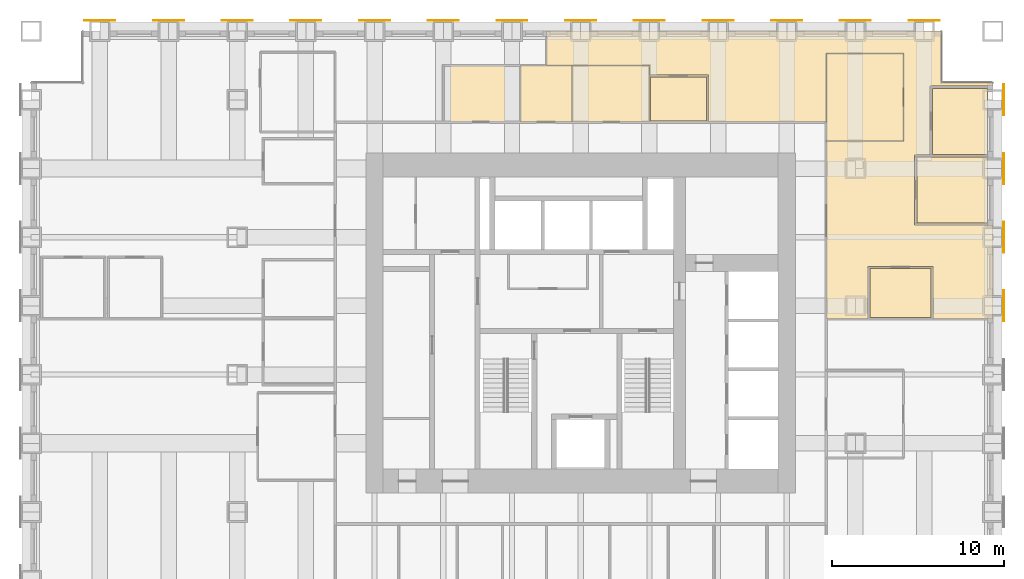
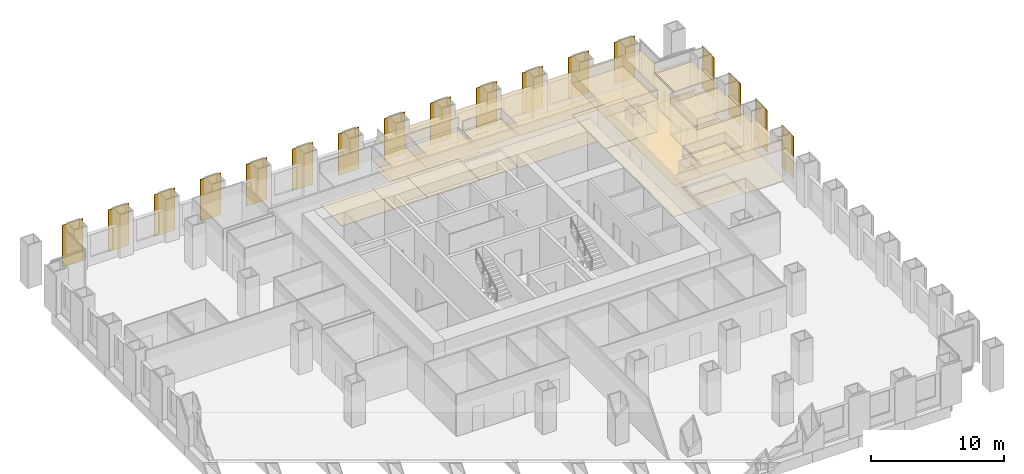
# One storey, part 15 of 15: 17 coverings, 17 shading devices.
"""IFC4 building model written with IfcOpenShell, lengths in metres."""

from ifc_helpers import new_model, si_unit, direction, frame, origin, origin_2d, place, context, subcontext, project, spatial, polyline, rectangle, outline, extrude, material, layer, layer_set, type_object, element, save


model = new_model("IFC4")

# Units and contexts
model_context = context("Model", 3, precision=1e-05, world=origin(), true_north=direction((0.0, 1.0)))
body_context = subcontext(model_context, "Body", "Model", "MODEL_VIEW")
ifc_project = project(units=[si_unit("LENGTHUNIT", "METRE"), si_unit("AREAUNIT", "SQUARE_METRE"), si_unit("VOLUMEUNIT", "CUBIC_METRE"), si_unit("PLANEANGLEUNIT", "RADIAN"), si_unit("MASSUNIT", "GRAM", prefix="KILO")], contexts=[model_context])

# Site, building, storey
site_placement = place(None, origin())
site = spatial("IfcSite", under=ifc_project, at=site_placement, CompositionType="ELEMENT")
building_placement = place(site_placement, origin())
building = spatial("IfcBuilding", under=site, at=building_placement, Name="Rimbunsela Tower", CompositionType="ELEMENT")
storey_placement = place(building_placement, frame((0.0, 0.0, 23.0)))
storey = spatial("IfcBuildingStorey", under=building, at=storey_placement, Name="L05", CompositionType="ELEMENT", Elevation=23.0)

# Coverings
ifc_material_1 = material(Name="Nylon carpet tile", Category="textile")
ifc_layer_1 = layer(ifc_material_1, 0.010009765625)
ifc_layer_set_1 = layer_set([ifc_layer_1], Name="Carpet tile 10")
covering_type_1 = type_object("IfcCoveringType", Name="Carpet tile 10", PredefinedType="FLOORING", material=ifc_layer_set_1)
covering_1_placement = place(storey_placement, origin())
element("IfcCovering", 1, at=covering_1_placement, inside=storey, type_object=covering_type_1, Name="Floor finish Open office", PredefinedType="FLOORING", context=body_context, shape_type="SweptSolid", body=[
    extrude(outline(polyline([(44.300048828125, 38.699951171875), (37.449951171875, 38.699951171875), (37.449951171875, 41.449951171875), (34.0, 41.449951171875), (34.0, 42.0), (28.0009765625, 42.0), (28.0009765625, 44.0), (44.300048828125, 44.0), (51.0, 44.0), (51.0, 41.0), (54.0, 41.0), (54.0, 40.800048828125), (50.35009765625, 40.800048828125), (50.35009765625, 36.800048828125), (49.449951171875, 36.800048828125), (49.449951171875, 32.699951171875), (54.0, 32.699951171875), (54.0, 27.2509765625), (50.52490234375, 27.2509765625), (50.52490234375, 30.300048828125), (46.72509765625, 30.300048828125), (46.72509765625, 27.2509765625), (44.300048828125, 27.2509765625), (44.300048828125, 37.60009765625), (48.800048828125, 37.60009765625), (48.800048828125, 42.699951171875), (44.300048828125, 42.699951171875), (44.300048828125, 38.699951171875)])), origin(), (0.0, 0.0, 1.0), 0.010009765625),
])
covering_2_placement = place(storey_placement, origin())
element("IfcCovering", 2, at=covering_2_placement, inside=storey, type_object=covering_type_1, Name="Floor finish Reception", PredefinedType="FLOORING", context=body_context, shape_type="SweptSolid", body=[
    extrude(outline(polyline([(48.800048828125, 37.60009765625), (48.800048828125, 42.699951171875), (44.300048828125, 42.699951171875), (44.300048828125, 37.60009765625), (48.800048828125, 37.60009765625)])), origin(), (0.0, 0.0, 1.0), 0.010009765625),
])
covering_3_placement = place(storey_placement, origin())
element("IfcCovering", 3, at=covering_3_placement, inside=storey, type_object=covering_type_1, Name="Floor finish Executive office", PredefinedType="FLOORING", context=body_context, shape_type="SweptSolid", body=[
    extrude(outline(polyline([(53.699951171875, 32.824951171875), (53.699951171875, 36.675048828125), (49.574951171875, 36.675048828125), (49.574951171875, 32.824951171875), (53.699951171875, 32.824951171875)])), origin(), (0.0, 0.0, 1.0), 0.010009765625),
])
covering_4_placement = place(storey_placement, origin())
element("IfcCovering", 4, at=covering_4_placement, inside=storey, type_object=covering_type_1, Name="Floor finish Print and copy room", PredefinedType="FLOORING", context=body_context, shape_type="SweptSolid", body=[
    extrude(outline(polyline([(53.699951171875, 36.824951171875), (53.699951171875, 40.675048828125), (50.47509765625, 40.675048828125), (50.47509765625, 36.824951171875), (53.699951171875, 36.824951171875)])), origin(), (0.0, 0.0, 1.0), 0.010009765625),
])
covering_5_placement = place(storey_placement, origin())
element("IfcCovering", 5, at=covering_5_placement, inside=storey, type_object=covering_type_1, Name="Floor finish Meeting room", PredefinedType="FLOORING", context=body_context, shape_type="SweptSolid", body=[
    extrude(outline(polyline([(50.39990234375, 27.324951171875), (50.39990234375, 30.175048828125), (46.85009765625, 30.175048828125), (46.85009765625, 27.324951171875), (50.39990234375, 27.324951171875)])), origin(), (0.0, 0.0, 1.0), 0.010009765625),
])
covering_6_placement = place(storey_placement, origin())
element("IfcCovering", 6, at=covering_6_placement, inside=storey, type_object=covering_type_1, Name="Floor finish Pantry", PredefinedType="FLOORING", context=body_context, shape_type="SweptSolid", body=[
    extrude(outline(polyline([(37.324951171875, 38.77490234375), (37.324951171875, 41.324951171875), (34.074951171875, 41.324951171875), (34.074951171875, 38.77490234375), (37.324951171875, 38.77490234375)])), origin(), (0.0, 0.0, 1.0), 0.010009765625),
])
ifc_material_2 = material(Name="Mineral fibre ceiling tile", Category="gypsum")
ifc_layer_2 = layer(ifc_material_2, 0.02001953125)
ifc_layer_set_2 = layer_set([ifc_layer_2], Name="Ceiling 600 grid")
covering_type_2 = type_object("IfcCoveringType", Name="Ceiling 600 grid", PredefinedType="CEILING", material=ifc_layer_set_2)
covering_7_placement = place(storey_placement, frame((0.0, 0.0, 2.89990234375)))
element("IfcCovering", 7, at=covering_7_placement, inside=storey, type_object=covering_type_2, Name="Ceiling Open office", PredefinedType="CEILING", context=body_context, shape_type="SweptSolid", body=[
    extrude(outline(polyline([(44.300048828125, 38.699951171875), (37.449951171875, 38.699951171875), (37.449951171875, 41.449951171875), (34.0, 41.449951171875), (34.0, 42.0), (28.0009765625, 42.0), (28.0009765625, 44.0), (44.300048828125, 44.0), (51.0, 44.0), (51.0, 41.0), (54.0, 41.0), (54.0, 40.800048828125), (50.35009765625, 40.800048828125), (50.35009765625, 36.800048828125), (49.449951171875, 36.800048828125), (49.449951171875, 32.699951171875), (54.0, 32.699951171875), (54.0, 27.2509765625), (50.52490234375, 27.2509765625), (50.52490234375, 30.300048828125), (46.72509765625, 30.300048828125), (46.72509765625, 27.2509765625), (44.300048828125, 27.2509765625), (44.300048828125, 37.60009765625), (48.800048828125, 37.60009765625), (48.800048828125, 42.699951171875), (44.300048828125, 42.699951171875), (44.300048828125, 38.699951171875)])), origin(), (0.0, 0.0, 1.0), 0.02001953125),
])
covering_8_placement = place(storey_placement, frame((0.0, 0.0, 2.89990234375)))
element("IfcCovering", 8, at=covering_8_placement, inside=storey, type_object=covering_type_2, Name="Ceiling Reception", PredefinedType="CEILING", context=body_context, shape_type="SweptSolid", body=[
    extrude(outline(polyline([(48.800048828125, 37.60009765625), (48.800048828125, 42.699951171875), (44.300048828125, 42.699951171875), (44.300048828125, 37.60009765625), (48.800048828125, 37.60009765625)])), origin(), (0.0, 0.0, 1.0), 0.02001953125),
])
covering_9_placement = place(storey_placement, frame((0.0, 0.0, 2.89990234375)))
element("IfcCovering", 9, at=covering_9_placement, inside=storey, type_object=covering_type_2, Name="Ceiling Executive office", PredefinedType="CEILING", context=body_context, shape_type="SweptSolid", body=[
    extrude(outline(polyline([(53.699951171875, 32.824951171875), (53.699951171875, 36.675048828125), (49.574951171875, 36.675048828125), (49.574951171875, 32.824951171875), (53.699951171875, 32.824951171875)])), origin(), (0.0, 0.0, 1.0), 0.02001953125),
])
covering_10_placement = place(storey_placement, frame((0.0, 0.0, 2.89990234375)))
element("IfcCovering", 10, at=covering_10_placement, inside=storey, type_object=covering_type_2, Name="Ceiling Print and copy room", PredefinedType="CEILING", context=body_context, shape_type="SweptSolid", body=[
    extrude(outline(polyline([(53.699951171875, 36.824951171875), (53.699951171875, 40.675048828125), (50.47509765625, 40.675048828125), (50.47509765625, 36.824951171875), (53.699951171875, 36.824951171875)])), origin(), (0.0, 0.0, 1.0), 0.02001953125),
])
covering_11_placement = place(storey_placement, frame((0.0, 0.0, 2.89990234375)))
element("IfcCovering", 11, at=covering_11_placement, inside=storey, type_object=covering_type_2, Name="Ceiling Meeting room", PredefinedType="CEILING", context=body_context, shape_type="SweptSolid", body=[
    extrude(outline(polyline([(50.39990234375, 27.324951171875), (50.39990234375, 30.175048828125), (46.85009765625, 30.175048828125), (46.85009765625, 27.324951171875), (50.39990234375, 27.324951171875)])), origin(), (0.0, 0.0, 1.0), 0.02001953125),
])
covering_12_placement = place(storey_placement, frame((0.0, 0.0, 2.89990234375)))
element("IfcCovering", 12, at=covering_12_placement, inside=storey, type_object=covering_type_2, Name="Ceiling Pantry", PredefinedType="CEILING", context=body_context, shape_type="SweptSolid", body=[
    extrude(outline(polyline([(37.324951171875, 38.77490234375), (37.324951171875, 41.324951171875), (34.074951171875, 41.324951171875), (34.074951171875, 38.77490234375), (37.324951171875, 38.77490234375)])), origin(), (0.0, 0.0, 1.0), 0.02001953125),
])
ifc_material_3 = material(Name="Moisture-resistant plasterboard ceiling", Category="gypsum")
ifc_layer_3 = layer(ifc_material_3, 0.012451171875)
ifc_layer_set_3 = layer_set([ifc_layer_3], Name="Ceiling moisture-resistant board")
covering_type_3 = type_object("IfcCoveringType", Name="Ceiling moisture-resistant board", PredefinedType="CEILING", material=ifc_layer_set_3)
covering_13_placement = place(storey_placement, frame((0.0, 0.0, 2.60009765625)))
element("IfcCovering", 13, at=covering_13_placement, inside=storey, type_object=covering_type_3, Name="Ceiling Accessible WC", PredefinedType="CEILING", context=body_context, shape_type="SweptSolid", body=[
    extrude(outline(polyline([(29.5, 38.699951171875), (29.5, 42.0), (26.5, 42.0), (26.5, 38.699951171875), (29.5, 38.699951171875)])), origin(), (0.0, 0.0, 1.0), 0.02001953125),
])
covering_14_placement = place(storey_placement, frame((0.0, 0.0, 2.60009765625)))
element("IfcCovering", 14, at=covering_14_placement, inside=storey, type_object=covering_type_3, Name="Ceiling Male WC", PredefinedType="CEILING", context=body_context, shape_type="SweptSolid", body=[
    extrude(outline(polyline([(34.0, 38.699951171875), (34.0, 42.0), (29.5, 42.0), (29.5, 38.699951171875), (34.0, 38.699951171875)])), origin(), (0.0, 0.0, 1.0), 0.02001953125),
])
ifc_material_4 = material(Name="Porcelain floor tile in adhesive bed", Category="ceramic")
ifc_layer_4 = layer(ifc_material_4, 0.02001953125)
ifc_layer_set_4 = layer_set([ifc_layer_4], Name="Porcelain tile 20")
covering_type_4 = type_object("IfcCoveringType", Name="Porcelain tile 20", PredefinedType="FLOORING", material=ifc_layer_set_4)
covering_15_placement = place(storey_placement, origin())
element("IfcCovering", 15, at=covering_15_placement, inside=storey, type_object=covering_type_4, Name="Floor finish Female WC", PredefinedType="FLOORING", context=body_context, shape_type="SweptSolid", body=[
    extrude(outline(polyline([(26.5, 38.699951171875), (26.5, 42.0), (22.0, 42.0), (22.0, 38.699951171875), (26.5, 38.699951171875)])), origin(), (0.0, 0.0, 1.0), 0.02001953125),
])
covering_16_placement = place(storey_placement, origin())
element("IfcCovering", 16, at=covering_16_placement, inside=storey, type_object=covering_type_4, Name="Floor finish Accessible WC", PredefinedType="FLOORING", context=body_context, shape_type="SweptSolid", body=[
    extrude(outline(polyline([(29.5, 38.699951171875), (29.5, 42.0), (26.5, 42.0), (26.5, 38.699951171875), (29.5, 38.699951171875)])), origin(), (0.0, 0.0, 1.0), 0.02001953125),
])
covering_17_placement = place(storey_placement, origin())
element("IfcCovering", 17, at=covering_17_placement, inside=storey, type_object=covering_type_4, Name="Floor finish Male WC", PredefinedType="FLOORING", context=body_context, shape_type="SweptSolid", body=[
    extrude(outline(polyline([(34.0, 38.699951171875), (34.0, 42.0), (29.5, 42.0), (29.5, 38.699951171875), (34.0, 38.699951171875)])), origin(), (0.0, 0.0, 1.0), 0.02001953125),
])

# Shading devices
ifc_material_5 = material(Name="Perforated aluminium, 35 % open area", Category="aluminium")
ifc_layer_5 = layer(ifc_material_5, 0.050048828125)
ifc_layer_set_5 = layer_set([ifc_layer_5], Name="Solar screen panel 1800")
shading_device_type = type_object("IfcShadingDeviceType", Name="Solar screen panel 1800", PredefinedType="USERDEFINED", material=ifc_layer_set_5)
for number, where, z_axis, x_axis, name in (
    (18, (54.625, 28.0, 0.0), (0.0, 0.0, 1.0), (0.0, 1.0, 0.0), "Solar screen E L05"),
    (19, (54.625, 32.0, 0.0), (0.0, 0.0, 1.0), (0.0, 1.0, 0.0), "Solar screen E L05"),
    (20, (54.625, 36.0, 0.0), (0.0, 0.0, 1.0), (0.0, 1.0, 0.0), "Solar screen E L05"),
    (21, (54.625, 40.0, 0.0), (0.0, 0.0, 1.0), (0.0, 1.0, 0.0), "Solar screen E L05"),
    (22, (2.0, 44.625, 0.0), (0.0, 0.0, 1.0), (1.0, 0.0, 0.0), "Solar screen N L05"),
    (23, (6.0, 44.625, 0.0), (0.0, 0.0, 1.0), (1.0, 0.0, 0.0), "Solar screen N L05"),
    (24, (10.0, 44.625, 0.0), (0.0, 0.0, 1.0), (1.0, 0.0, 0.0), "Solar screen N L05"),
    (25, (14.0, 44.625, 0.0), (0.0, 0.0, 1.0), (1.0, 0.0, 0.0), "Solar screen N L05"),
    (26, (18.0, 44.625, 0.0), (0.0, 0.0, 1.0), (1.0, 0.0, 0.0), "Solar screen N L05"),
    (27, (22.0, 44.625, 0.0), (0.0, 0.0, 1.0), (1.0, 0.0, 0.0), "Solar screen N L05"),
    (28, (26.0, 44.625, 0.0), (0.0, 0.0, 1.0), (1.0, 0.0, 0.0), "Solar screen N L05"),
    (29, (30.0, 44.625, 0.0), (0.0, 0.0, 1.0), (1.0, 0.0, 0.0), "Solar screen N L05"),
    (30, (34.0, 44.625, 0.0), (0.0, 0.0, 1.0), (1.0, 0.0, 0.0), "Solar screen N L05"),
    (31, (38.0, 44.625, 0.0), (0.0, 0.0, 1.0), (1.0, 0.0, 0.0), "Solar screen N L05"),
    (32, (42.0, 44.625, 0.0), (0.0, 0.0, 1.0), (1.0, 0.0, 0.0), "Solar screen N L05"),
    (33, (46.0, 44.625, 0.0), (0.0, 0.0, 1.0), (1.0, 0.0, 0.0), "Solar screen N L05"),
    (34, (50.0, 44.625, 0.0), (0.0, 0.0, 1.0), (1.0, 0.0, 0.0), "Solar screen N L05"),
):
    element("IfcShadingDevice", number, at=place(storey_placement, frame(where, z_axis=z_axis, x_axis=x_axis)), inside=storey, type_object=shading_device_type, Name=name, ObjectType="SCREEN", PredefinedType="USERDEFINED", context=body_context, shape_type="SweptSolid", body=[
        extrude(rectangle(XDim=1.800048828125, YDim=0.050048828125, at=origin_2d()), origin(), (0.0, 0.0, 1.0), 3.85009765625),
    ])

save(model, "model.ifc")
